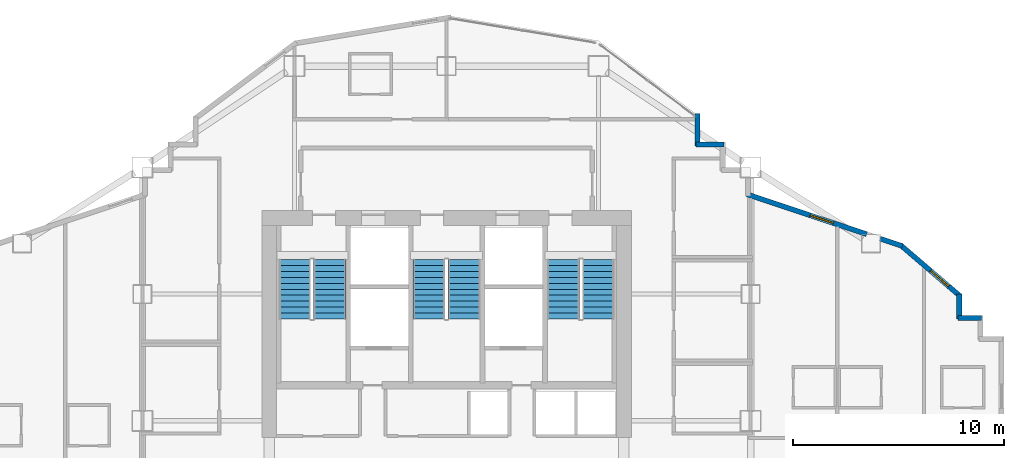
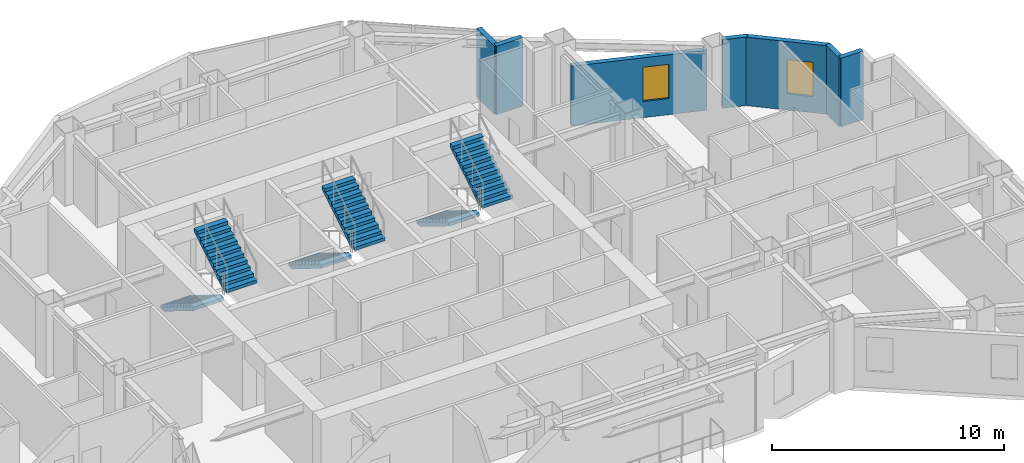
# One storey, part 13 of 15: 7 walls, 6 stair flights, 2 windows, 2 openings, 3 elements without a shape of their own.
"""IFC4 building model written with IfcOpenShell, lengths in metres."""

from ifc_helpers import new_model, si_unit, direction, frame, frame_2d, origin, place, context, subcontext, project, spatial, polyline, rectangle, outline, extrude, material, layer, layer_set, type_object, element, fill, aggregate, save


model = new_model("IFC4")

# Units and contexts
model_context = context("Model", 3, precision=1e-05, world=origin(), true_north=direction((0.0, 1.0)))
body_context = subcontext(model_context, "Body", "Model", "MODEL_VIEW")
ifc_project = project(units=[si_unit("LENGTHUNIT", "METRE"), si_unit("AREAUNIT", "SQUARE_METRE"), si_unit("VOLUMEUNIT", "CUBIC_METRE"), si_unit("PLANEANGLEUNIT", "RADIAN"), si_unit("MASSUNIT", "GRAM", prefix="KILO")], contexts=[model_context])

# Site, building, storey
site_placement = place(None, origin())
site = spatial("IfcSite", under=ifc_project, at=site_placement, CompositionType="ELEMENT")
building_placement = place(site_placement, origin())
building = spatial("IfcBuilding", under=site, at=building_placement, Name="Haolan Belvedere Tower", CompositionType="ELEMENT")
storey_placement = place(building_placement, frame((0.0, 0.0, 152.39990234375)))
storey = spatial("IfcBuildingStorey", under=building, at=storey_placement, Name="L38", CompositionType="ELEMENT", Elevation=152.39990234375)

# Walls
ifc_material_1 = material(Name="Precast concrete C40/50", Category="concrete")
ifc_layer = layer(ifc_material_1, 0.239990234375, Name="Precast concrete C40/50")
ifc_layer_set = layer_set([ifc_layer], Name="Precast concrete C40/50")
wall_type = type_object("IfcWallType", Name="WL-EXT-240", PredefinedType="SOLIDWALL", material=ifc_layer_set)
wall_1_placement = place(storey_placement, frame((63.735107421875, 38.47998046875, 0.0), z_axis=(0.0, 0.0, 1.0), x_axis=(-1.0, 0.0, 0.0)))
element("IfcWall", 1, at=wall_1_placement, inside=storey, type_object=wall_type, Name="L38 pale-metal exterior spandrel wall 17.1", PredefinedType="SOLIDWALL", context=body_context, shape_type="SweptSolid", body=[
    extrude(rectangle(XDim=1.110107421875, YDim=0.239990234375, at=frame_2d((0.55517578125, 0.0))), origin(), (0.0, 0.0, 1.0), 3.60009765625),
])
wall_2_placement = place(storey_placement, frame((62.679931640625, 38.425048828125, 0.0), z_axis=(0.0, 0.0, 1.0), x_axis=(0.0, 1.0, 0.0)))
element("IfcWall", 2, at=wall_2_placement, inside=storey, type_object=wall_type, Name="L38 pale-metal exterior spandrel wall 18.1", PredefinedType="SOLIDWALL", context=body_context, shape_type="SweptSolid", body=[
    extrude(rectangle(XDim=1.1748046875, YDim=0.239990234375, at=frame_2d((0.58740234375, 0.0))), origin(), (0.0, 0.0, 1.0), 3.60009765625),
])

# Wall, opening, window
wall_3_placement = place(storey_placement, frame((62.7216796875, 39.509033203125, 0.0), z_axis=(0.0, 0.0, 1.0), x_axis=(-0.759247334792, 0.650802185469, 0.0)))
wall_3 = element("IfcWall", 3, at=wall_3_placement, inside=storey, type_object=wall_type, Name="L38 pale-metal exterior spandrel wall 19.1", PredefinedType="SOLIDWALL", context=body_context, shape_type="SweptSolid", body=[
    extrude(rectangle(XDim=3.71923828125, YDim=0.239990234375, at=frame_2d((1.859619140625, 0.0))), origin(), (0.0, 0.0, 1.0), 3.60009765625),
])
opening_1_placement = place(wall_3_placement, frame((0.699951171875, 0.0, 0.85009765625)))
opening_1 = element("IfcOpeningElement", 4, at=opening_1_placement, cuts=wall_3, Name="Opening W-02", PredefinedType="OPENING", context=body_context, shape_type="SweptSolid", body=[
    extrude(rectangle(XDim=1.14990234375, YDim=1.800048828125, at=frame_2d((0.574951171875, 0.89990234375))), frame((0.0, 0.1298828125, 0.0), z_axis=(0.0, -1.0, 0.0), x_axis=(1.0, 0.0, 0.0)), (0.0, 0.0, 1.0), 0.260009765625),
])
ifc_material_2 = material(Name="Anodised aluminium 6063-T6 and Low-E glass", Category="aluminium")
window_type = type_object("IfcWindowType", Name="WN-DECO-Z2", PartitioningType="SINGLE_PANEL", PredefinedType="WINDOW", material=ifc_material_2)
window_1_placement = place(opening_1_placement, origin())
window_1 = element("IfcWindow", 5, at=window_1_placement, inside=storey, type_object=window_type, Name="L38 Art Deco chevron window 1", OverallHeight=1.800048828125, OverallWidth=1.14990234375, PartitioningType="SINGLE_PANEL", PredefinedType="WINDOW", context=body_context, shape_type="SweptSolid", body=[
    extrude(rectangle(XDim=1.14990234375, YDim=1.800048828125, at=frame_2d((0.574951171875, 0.89990234375))), frame((0.0, 0.030029296875, 0.0), z_axis=(0.0, -1.0, 0.0), x_axis=(1.0, 0.0, 0.0)), (0.0, 0.0, 1.0), 0.06005859375),
])
fill(opening_1, window_1)

# Wall
wall_4_placement = place(storey_placement, frame((59.991943359375, 41.876220703125, 0.0), z_axis=(0.0, 0.0, 1.0), x_axis=(-0.948661238983, 0.316293935527, 0.0)))
element("IfcWall", 6, at=wall_4_placement, inside=storey, type_object=wall_type, Name="L38 pale-metal exterior spandrel wall 20.1", PredefinedType="SOLIDWALL", context=body_context, shape_type="SweptSolid", body=[
    extrude(rectangle(XDim=1.10693359375, YDim=0.239990234375, at=frame_2d((0.553466796875, 0.0))), origin(), (0.0, 0.0, 1.0), 3.60009765625),
])

# Wall, opening, window
wall_5_placement = place(storey_placement, frame((58.294677734375, 42.44189453125, 0.0), z_axis=(0.0, 0.0, 1.0), x_axis=(-0.948687385027, 0.316215504823, 0.0)))
wall_5 = element("IfcWall", 7, at=wall_5_placement, inside=storey, type_object=wall_type, Name="L38 pale-metal exterior spandrel wall 20.2", PredefinedType="SOLIDWALL", context=body_context, shape_type="SweptSolid", body=[
    extrude(rectangle(XDim=5.973388671875, YDim=0.239990234375, at=frame_2d((2.98681640625, 0.0))), origin(), (0.0, 0.0, 1.0), 3.14501953125),
])
opening_2_placement = place(wall_5_placement, frame((1.669921875, 0.0, 0.85009765625)))
opening_2 = element("IfcOpeningElement", 8, at=opening_2_placement, cuts=wall_5, Name="Opening W-02", PredefinedType="OPENING", context=body_context, shape_type="SweptSolid", body=[
    extrude(rectangle(XDim=1.14990234375, YDim=1.800048828125, at=frame_2d((0.574951171875, 0.89990234375))), frame((0.0, 0.1298828125, 0.0), z_axis=(0.0, -1.0, 0.0), x_axis=(1.0, 0.0, 0.0)), (0.0, 0.0, 1.0), 0.260009765625),
])
window_2_placement = place(opening_2_placement, origin())
window_2 = element("IfcWindow", 9, at=window_2_placement, inside=storey, type_object=window_type, Name="L38 Art Deco chevron window 1", OverallHeight=1.800048828125, OverallWidth=1.14990234375, PartitioningType="SINGLE_PANEL", PredefinedType="WINDOW", context=body_context, shape_type="SweptSolid", body=[
    extrude(rectangle(XDim=1.14990234375, YDim=1.800048828125, at=frame_2d((0.574951171875, 0.89990234375))), frame((0.0, 0.030029296875, 0.0), z_axis=(0.0, -1.0, 0.0), x_axis=(1.0, 0.0, 0.0)), (0.0, 0.0, 1.0), 0.06005859375),
])
fill(opening_2, window_2)

# Walls
wall_6_placement = place(storey_placement, frame((51.534912109375, 46.679931640625, 0.0), z_axis=(0.0, 0.0, 1.0), x_axis=(-1.0, 0.0, 0.0)))
element("IfcWall", 10, at=wall_6_placement, inside=storey, type_object=wall_type, Name="L38 pale-metal exterior spandrel wall 24.1", PredefinedType="SOLIDWALL", context=body_context, shape_type="SweptSolid", body=[
    extrude(rectangle(XDim=1.309814453125, YDim=0.239990234375, at=frame_2d((0.65478515625, 0.0))), origin(), (0.0, 0.0, 1.0), 3.60009765625),
])
wall_7_placement = place(storey_placement, frame((50.280029296875, 46.625, 0.0), z_axis=(0.0, 0.0, 1.0), x_axis=(0.0, 1.0, 0.0)))
element("IfcWall", 11, at=wall_7_placement, inside=storey, type_object=wall_type, Name="L38 pale-metal exterior spandrel wall 25.1", PredefinedType="SOLIDWALL", context=body_context, shape_type="SweptSolid", body=[
    extrude(rectangle(XDim=1.5400390625, YDim=0.239990234375, at=frame_2d((0.77001953125, 0.0))), origin(), (0.0, 0.0, 1.0), 3.60009765625),
])

# Stair, stair flights
ifc_material_3 = material(Name="Concrete C40/50", Category="concrete")
stair_type = type_object("IfcStairType", Name="STR-DL-22R-173", PredefinedType="HALF_TURN_STAIR", material=ifc_material_3)
stair_1_placement = place(storey_placement, origin())
stair_1 = element("IfcStair", 12, at=stair_1_placement, inside=storey, type_object=stair_type, Name="L38 Smokeproof Core Exit Stair ST1", PredefinedType="HALF_TURN_STAIR")
stair_flight_type = type_object("IfcStairFlightType", Name="SFL-DL-11R-173", PredefinedType="STRAIGHT", material=ifc_material_3)
stair_flight_1_placement = place(storey_placement, frame((31.2099609375, 41.22998046875, 0.0), z_axis=(0.0, 0.0, 1.0), x_axis=(0.0, -1.0, 0.0)))
stair_flight_1 = element("IfcStairFlight", 13, at=stair_flight_1_placement, type_object=stair_flight_type, Name="ST1 flight 1", NumberOfRisers=11, NumberOfTreads=10, PredefinedType="STRAIGHT", RiserHeight=0.172727273, TreadLength=0.28, context=body_context, shape_type="SweptSolid", body=[
    extrude(outline(polyline([(0.0, 0.0), (0.0, 0.172607421875), (0.280029296875, 0.172607421875), (0.280029296875, 0.345458984375), (0.56005859375, 0.345458984375), (0.56005859375, 0.51806640625), (0.840087890625, 0.51806640625), (0.840087890625, 0.69091796875), (1.1201171875, 0.69091796875), (1.1201171875, 0.863525390625), (1.39990234375, 0.863525390625), (1.39990234375, 1.036376953125), (1.679931640625, 1.036376953125), (1.679931640625, 1.208984375), (1.9599609375, 1.208984375), (1.9599609375, 1.3818359375), (2.239990234375, 1.3818359375), (2.239990234375, 1.554443359375), (2.52001953125, 1.554443359375), (2.52001953125, 1.727294921875), (2.800048828125, 1.727294921875), (2.800048828125, 1.89990234375), (2.800048828125, 1.551025390625), (0.285400390625, 0.0), (0.0, 0.0)])), frame((0.0, 0.760009765625, 0.0), z_axis=(0.0, -1.0, 0.0), x_axis=(1.0, 0.0, 0.0)), (0.0, 0.0, 1.0), 1.52001953125),
])
stair_flight_2_placement = place(storey_placement, frame((32.8701171875, 38.429931640625, 1.900146484375), z_axis=(0.0, 0.0, 1.0), x_axis=(0.0, 1.0, 0.0)))
stair_flight_2 = element("IfcStairFlight", 14, at=stair_flight_2_placement, type_object=stair_flight_type, Name="ST1 flight 2", NumberOfRisers=11, NumberOfTreads=10, PredefinedType="STRAIGHT", RiserHeight=0.172727273, TreadLength=0.28, context=body_context, shape_type="SweptSolid", body=[
    extrude(outline(polyline([(0.0, 0.0), (0.0, 0.172607421875), (0.280029296875, 0.172607421875), (0.280029296875, 0.345458984375), (0.56005859375, 0.345458984375), (0.56005859375, 0.51806640625), (0.840087890625, 0.51806640625), (0.840087890625, 0.69091796875), (1.1201171875, 0.69091796875), (1.1201171875, 0.863525390625), (1.39990234375, 0.863525390625), (1.39990234375, 1.036376953125), (1.679931640625, 1.036376953125), (1.679931640625, 1.208984375), (1.9599609375, 1.208984375), (1.9599609375, 1.3818359375), (2.239990234375, 1.3818359375), (2.239990234375, 1.554443359375), (2.52001953125, 1.554443359375), (2.52001953125, 1.727294921875), (2.800048828125, 1.727294921875), (2.800048828125, 1.89990234375), (2.800048828125, 1.551025390625), (0.285400390625, 0.0), (0.0, 0.0)])), frame((0.0, 0.760009765625, 0.0), z_axis=(0.0, -1.0, 0.0), x_axis=(1.0, 0.0, 0.0)), (0.0, 0.0, 1.0), 1.52001953125),
])
aggregate(stair_1, [stair_flight_1, stair_flight_2])

stair_2_placement = place(storey_placement, origin())
stair_2 = element("IfcStair", 15, at=stair_2_placement, inside=storey, type_object=stair_type, Name="L38 Smokeproof Core Exit Stair ST3", PredefinedType="HALF_TURN_STAIR")
stair_flight_3_placement = place(storey_placement, frame((37.570068359375, 41.22998046875, 0.0), z_axis=(0.0, 0.0, 1.0), x_axis=(0.0, -1.0, 0.0)))
stair_flight_3 = element("IfcStairFlight", 16, at=stair_flight_3_placement, type_object=stair_flight_type, Name="ST3 flight 1", NumberOfRisers=11, NumberOfTreads=10, PredefinedType="STRAIGHT", RiserHeight=0.172727273, TreadLength=0.28, context=body_context, shape_type="SweptSolid", body=[
    extrude(outline(polyline([(0.0, 0.0), (0.0, 0.172607421875), (0.280029296875, 0.172607421875), (0.280029296875, 0.345458984375), (0.56005859375, 0.345458984375), (0.56005859375, 0.51806640625), (0.840087890625, 0.51806640625), (0.840087890625, 0.69091796875), (1.1201171875, 0.69091796875), (1.1201171875, 0.863525390625), (1.39990234375, 0.863525390625), (1.39990234375, 1.036376953125), (1.679931640625, 1.036376953125), (1.679931640625, 1.208984375), (1.9599609375, 1.208984375), (1.9599609375, 1.3818359375), (2.239990234375, 1.3818359375), (2.239990234375, 1.554443359375), (2.52001953125, 1.554443359375), (2.52001953125, 1.727294921875), (2.800048828125, 1.727294921875), (2.800048828125, 1.89990234375), (2.800048828125, 1.551025390625), (0.285400390625, 0.0), (0.0, 0.0)])), frame((0.0, 0.760009765625, 0.0), z_axis=(0.0, -1.0, 0.0), x_axis=(1.0, 0.0, 0.0)), (0.0, 0.0, 1.0), 1.52001953125),
])
stair_flight_4_placement = place(storey_placement, frame((39.22998046875, 38.429931640625, 1.900146484375), z_axis=(0.0, 0.0, 1.0), x_axis=(0.0, 1.0, 0.0)))
stair_flight_4 = element("IfcStairFlight", 17, at=stair_flight_4_placement, type_object=stair_flight_type, Name="ST3 flight 2", NumberOfRisers=11, NumberOfTreads=10, PredefinedType="STRAIGHT", RiserHeight=0.172727273, TreadLength=0.28, context=body_context, shape_type="SweptSolid", body=[
    extrude(outline(polyline([(0.0, 0.0), (0.0, 0.172607421875), (0.280029296875, 0.172607421875), (0.280029296875, 0.345458984375), (0.56005859375, 0.345458984375), (0.56005859375, 0.51806640625), (0.840087890625, 0.51806640625), (0.840087890625, 0.69091796875), (1.1201171875, 0.69091796875), (1.1201171875, 0.863525390625), (1.39990234375, 0.863525390625), (1.39990234375, 1.036376953125), (1.679931640625, 1.036376953125), (1.679931640625, 1.208984375), (1.9599609375, 1.208984375), (1.9599609375, 1.3818359375), (2.239990234375, 1.3818359375), (2.239990234375, 1.554443359375), (2.52001953125, 1.554443359375), (2.52001953125, 1.727294921875), (2.800048828125, 1.727294921875), (2.800048828125, 1.89990234375), (2.800048828125, 1.551025390625), (0.285400390625, 0.0), (0.0, 0.0)])), frame((0.0, 0.760009765625, 0.0), z_axis=(0.0, -1.0, 0.0), x_axis=(1.0, 0.0, 0.0)), (0.0, 0.0, 1.0), 1.52001953125),
])
aggregate(stair_2, [stair_flight_3, stair_flight_4])

stair_3_placement = place(storey_placement, origin())
stair_3 = element("IfcStair", 18, at=stair_3_placement, inside=storey, type_object=stair_type, Name="L38 Smokeproof Core Exit Stair ST2", PredefinedType="HALF_TURN_STAIR")
stair_flight_5_placement = place(storey_placement, frame((43.929931640625, 41.22998046875, 0.0), z_axis=(0.0, 0.0, 1.0), x_axis=(0.0, -1.0, 0.0)))
stair_flight_5 = element("IfcStairFlight", 19, at=stair_flight_5_placement, type_object=stair_flight_type, Name="ST2 flight 1", NumberOfRisers=11, NumberOfTreads=10, PredefinedType="STRAIGHT", RiserHeight=0.172727273, TreadLength=0.28, context=body_context, shape_type="SweptSolid", body=[
    extrude(outline(polyline([(0.0, 0.0), (0.0, 0.172607421875), (0.280029296875, 0.172607421875), (0.280029296875, 0.345458984375), (0.56005859375, 0.345458984375), (0.56005859375, 0.51806640625), (0.840087890625, 0.51806640625), (0.840087890625, 0.69091796875), (1.1201171875, 0.69091796875), (1.1201171875, 0.863525390625), (1.39990234375, 0.863525390625), (1.39990234375, 1.036376953125), (1.679931640625, 1.036376953125), (1.679931640625, 1.208984375), (1.9599609375, 1.208984375), (1.9599609375, 1.3818359375), (2.239990234375, 1.3818359375), (2.239990234375, 1.554443359375), (2.52001953125, 1.554443359375), (2.52001953125, 1.727294921875), (2.800048828125, 1.727294921875), (2.800048828125, 1.89990234375), (2.800048828125, 1.551025390625), (0.285400390625, 0.0), (0.0, 0.0)])), frame((0.0, 0.760009765625, 0.0), z_axis=(0.0, -1.0, 0.0), x_axis=(1.0, 0.0, 0.0)), (0.0, 0.0, 1.0), 1.52001953125),
])
stair_flight_6_placement = place(storey_placement, frame((45.590087890625, 38.429931640625, 1.900146484375), z_axis=(0.0, 0.0, 1.0), x_axis=(0.0, 1.0, 0.0)))
stair_flight_6 = element("IfcStairFlight", 20, at=stair_flight_6_placement, type_object=stair_flight_type, Name="ST2 flight 2", NumberOfRisers=11, NumberOfTreads=10, PredefinedType="STRAIGHT", RiserHeight=0.172727273, TreadLength=0.28, context=body_context, shape_type="SweptSolid", body=[
    extrude(outline(polyline([(0.0, 0.0), (0.0, 0.172607421875), (0.280029296875, 0.172607421875), (0.280029296875, 0.345458984375), (0.56005859375, 0.345458984375), (0.56005859375, 0.51806640625), (0.840087890625, 0.51806640625), (0.840087890625, 0.69091796875), (1.1201171875, 0.69091796875), (1.1201171875, 0.863525390625), (1.39990234375, 0.863525390625), (1.39990234375, 1.036376953125), (1.679931640625, 1.036376953125), (1.679931640625, 1.208984375), (1.9599609375, 1.208984375), (1.9599609375, 1.3818359375), (2.239990234375, 1.3818359375), (2.239990234375, 1.554443359375), (2.52001953125, 1.554443359375), (2.52001953125, 1.727294921875), (2.800048828125, 1.727294921875), (2.800048828125, 1.89990234375), (2.800048828125, 1.551025390625), (0.285400390625, 0.0), (0.0, 0.0)])), frame((0.0, 0.760009765625, 0.0), z_axis=(0.0, -1.0, 0.0), x_axis=(1.0, 0.0, 0.0)), (0.0, 0.0, 1.0), 1.52001953125),
])
aggregate(stair_3, [stair_flight_5, stair_flight_6])

save(model, "model.ifc")
